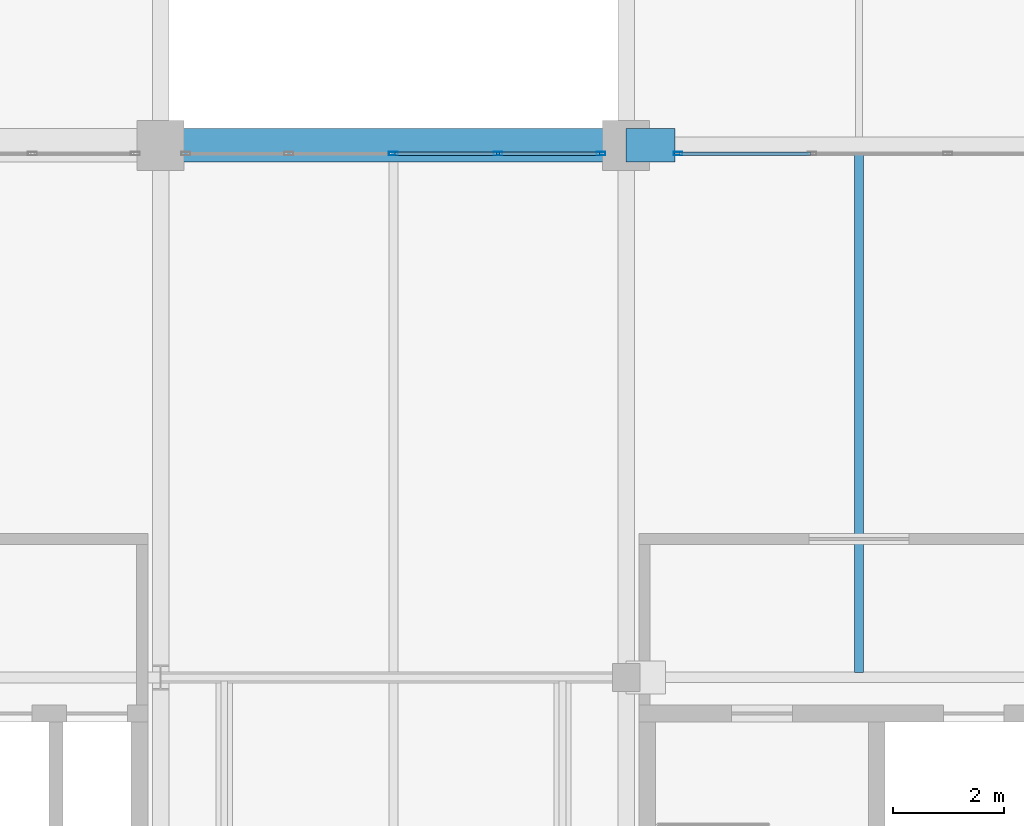
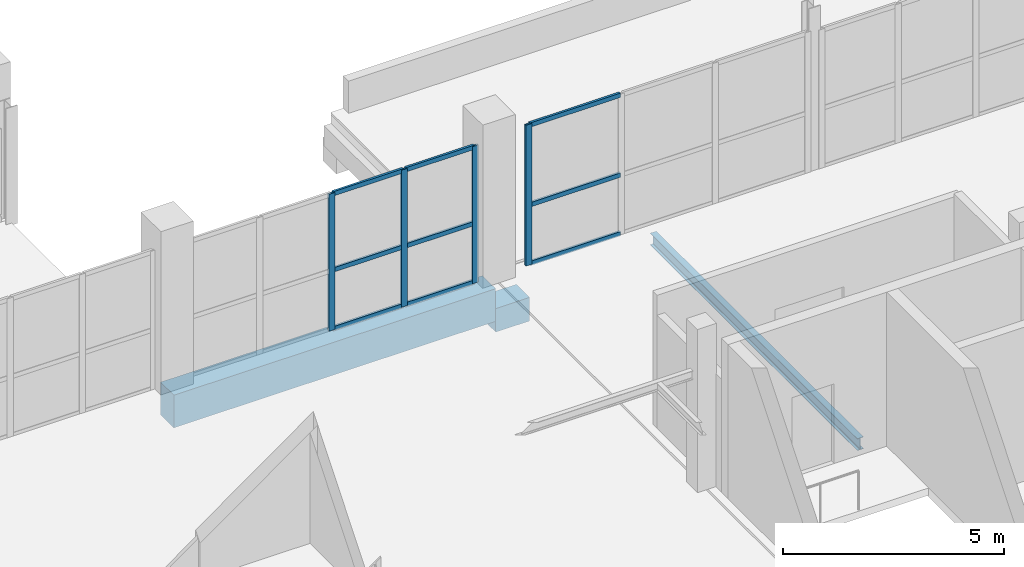
# One storey, part 49 of 103: 13 members, 3 beams, 2 elements without a shape of their own.
"""IFC4 building model written with IfcOpenShell, lengths in metres."""

from ifc_helpers import new_model, si_unit, direction, frame, origin, origin_2d, place, context, subcontext, project, spatial, rectangle, hollow_rectangle, i_section, extrude, material, material_profile, profile_set, type_object, element, aggregate, save


model = new_model("IFC4")

# Units and contexts
model_context = context("Model", 3, precision=1e-05, world=origin(), true_north=direction((0.0, 1.0)))
body_context = subcontext(model_context, "Body", "Model", "MODEL_VIEW")
ifc_project = project(units=[si_unit("LENGTHUNIT", "METRE"), si_unit("AREAUNIT", "SQUARE_METRE"), si_unit("VOLUMEUNIT", "CUBIC_METRE"), si_unit("PLANEANGLEUNIT", "RADIAN"), si_unit("MASSUNIT", "GRAM", prefix="KILO")], contexts=[model_context])

# Site, building, storey
site_placement = place(None, origin())
site = spatial("IfcSite", under=ifc_project, at=site_placement, CompositionType="ELEMENT")
building_placement = place(site_placement, origin())
building = spatial("IfcBuilding", under=site, at=building_placement, Name="Veltarok Museum of Natural Sciences", CompositionType="ELEMENT")
storey_placement = place(building_placement, frame((0.0, 0.0, 21.89990234375)))
storey = spatial("IfcBuildingStorey", under=building, at=storey_placement, Name="L04", CompositionType="ELEMENT", Elevation=21.89990234375)

# Curtain wall, members
ifc_material_1 = material(Name="Low-iron triple insulated glass", Category="glass")
curtain_wall_type_1 = type_object("IfcCurtainWallType", Name="Curtain Wall System CW-V1CN4-L04-2-755x378 (CW-V1CN4 L04 755x378cm)", PredefinedType="NOTDEFINED", material=ifc_material_1)
curtain_wall_1_placement = place(storey_placement, origin())
curtain_wall_1 = element("IfcCurtainWall", 1, at=curtain_wall_1_placement, inside=storey, type_object=curtain_wall_type_1, Name="Curtain Wall CW-V1CN4-L04-2-755x378 CW-0170", PredefinedType="NOTDEFINED")
ifc_material_2 = material(Name="Thermally broken anodised aluminium", Category="aluminium")
ifc_material_profile_1 = material_profile(ifc_material_2, hollow_rectangle(XDim=0.06005859375, YDim=0.1201171875, WallThickness=0.0048828125, at=origin_2d()), Name="CW TRANSOM 60x120x5")
ifc_profile_set_1 = profile_set([ifc_material_profile_1], Name="Thermally broken anodised aluminium")
member_type_1 = type_object("IfcMemberType", Name="Curtain Wall Horizontal Transom 60x120x5", PredefinedType="USERDEFINED", material=ifc_profile_set_1)
member_1_placement = place(storey_placement, frame((106.715087890625, 19.050048828125, 0.028076171875), z_axis=(-1.0, 0.0, 0.0), x_axis=(0.0, -1.0, 0.0)))
member_1 = element("IfcMember", 2, at=member_1_placement, type_object=member_type_1, Name="CW-V1CN4-L04-2-755x378 transom 1.1", ObjectType="TRANSOM", PredefinedType="USERDEFINED", context=body_context, shape_type="SweptSolid", body=[
    extrude(hollow_rectangle(XDim=0.06005859375, YDim=0.1201171875, WallThickness=0.0048828125, at=origin_2d()), origin(), (0.0, 0.0, 1.0), 1.797607421875),
])
member_2_placement = place(storey_placement, frame((106.715087890625, 19.050048828125, 1.648193359375), z_axis=(-1.0, 0.0, 0.0), x_axis=(0.0, -1.0, 0.0)))
member_2 = element("IfcMember", 3, at=member_2_placement, type_object=member_type_1, Name="CW-V1CN4-L04-2-755x378 transom 1.2", ObjectType="TRANSOM", PredefinedType="USERDEFINED", context=body_context, shape_type="SweptSolid", body=[
    extrude(hollow_rectangle(XDim=0.06005859375, YDim=0.1201171875, WallThickness=0.0048828125, at=origin_2d()), origin(), (0.0, 0.0, 1.0), 1.797607421875),
])
member_3_placement = place(storey_placement, frame((106.715087890625, 19.050048828125, 3.75), z_axis=(-1.0, 0.0, 0.0), x_axis=(0.0, -1.0, 0.0)))
member_3 = element("IfcMember", 4, at=member_3_placement, type_object=member_type_1, Name="CW-V1CN4-L04-2-755x378 transom 1.3", ObjectType="TRANSOM", PredefinedType="USERDEFINED", context=body_context, shape_type="SweptSolid", body=[
    extrude(hollow_rectangle(XDim=0.06005859375, YDim=0.1201171875, WallThickness=0.0048828125, at=origin_2d()), origin(), (0.0, 0.0, 1.0), 1.797607421875),
])
member_4_placement = place(storey_placement, frame((104.857421875, 19.050048828125, 0.028076171875), z_axis=(-1.0, 0.0, 0.0), x_axis=(0.0, -1.0, 0.0)))
member_4 = element("IfcMember", 5, at=member_4_placement, type_object=member_type_1, Name="CW-V1CN4-L04-2-755x378 transom 2.1", ObjectType="TRANSOM", PredefinedType="USERDEFINED", context=body_context, shape_type="SweptSolid", body=[
    extrude(hollow_rectangle(XDim=0.06005859375, YDim=0.1201171875, WallThickness=0.0048828125, at=origin_2d()), origin(), (0.0, 0.0, 1.0), 1.827392578125),
])
member_5_placement = place(storey_placement, frame((104.857421875, 19.050048828125, 1.648193359375), z_axis=(-1.0, 0.0, 0.0), x_axis=(0.0, -1.0, 0.0)))
member_5 = element("IfcMember", 6, at=member_5_placement, type_object=member_type_1, Name="CW-V1CN4-L04-2-755x378 transom 2.2", ObjectType="TRANSOM", PredefinedType="USERDEFINED", context=body_context, shape_type="SweptSolid", body=[
    extrude(hollow_rectangle(XDim=0.06005859375, YDim=0.1201171875, WallThickness=0.0048828125, at=origin_2d()), origin(), (0.0, 0.0, 1.0), 1.827392578125),
])
member_6_placement = place(storey_placement, frame((104.857421875, 19.050048828125, 3.75), z_axis=(-1.0, 0.0, 0.0), x_axis=(0.0, -1.0, 0.0)))
member_6 = element("IfcMember", 7, at=member_6_placement, type_object=member_type_1, Name="CW-V1CN4-L04-2-755x378 transom 2.3", ObjectType="TRANSOM", PredefinedType="USERDEFINED", context=body_context, shape_type="SweptSolid", body=[
    extrude(hollow_rectangle(XDim=0.06005859375, YDim=0.1201171875, WallThickness=0.0048828125, at=origin_2d()), origin(), (0.0, 0.0, 1.0), 1.827392578125),
])

curtain_wall_type_2 = type_object("IfcCurtainWallType", Name="Curtain Wall System CW-V5CN4-L04-0-734x388 (CW-V5CN4 L04 734x388cm)", PredefinedType="NOTDEFINED", material=ifc_material_1)
curtain_wall_2_placement = place(storey_placement, origin())
curtain_wall_2 = element("IfcCurtainWall", 8, at=curtain_wall_2_placement, inside=storey, type_object=curtain_wall_type_2, Name="Curtain Wall CW-V5CN4-L04-0-734x388 CW-0196", PredefinedType="NOTDEFINED")
member_7_placement = place(storey_placement, frame((110.5234375, 19.050048828125, 0.028076171875), z_axis=(-1.0, 0.0, 0.0), x_axis=(0.0, -1.0, 0.0)))
member_7 = element("IfcMember", 9, at=member_7_placement, type_object=member_type_1, Name="CW-V5CN4-L04-0-734x388 transom 3.1", ObjectType="TRANSOM", PredefinedType="USERDEFINED", context=body_context, shape_type="SweptSolid", body=[
    extrude(hollow_rectangle(XDim=0.06005859375, YDim=0.1201171875, WallThickness=0.0048828125, at=origin_2d()), origin(), (0.0, 0.0, 1.0), 2.3583984375),
])
member_8_placement = place(storey_placement, frame((110.5234375, 19.050048828125, 1.648193359375), z_axis=(-1.0, 0.0, 0.0), x_axis=(0.0, -1.0, 0.0)))
member_8 = element("IfcMember", 10, at=member_8_placement, type_object=member_type_1, Name="CW-V5CN4-L04-0-734x388 transom 3.2", ObjectType="TRANSOM", PredefinedType="USERDEFINED", context=body_context, shape_type="SweptSolid", body=[
    extrude(hollow_rectangle(XDim=0.06005859375, YDim=0.1201171875, WallThickness=0.0048828125, at=origin_2d()), origin(), (0.0, 0.0, 1.0), 2.3583984375),
])
member_9_placement = place(storey_placement, frame((110.5234375, 19.050048828125, 3.85009765625), z_axis=(-1.0, 0.0, 0.0), x_axis=(0.0, -1.0, 0.0)))
member_9 = element("IfcMember", 11, at=member_9_placement, type_object=member_type_1, Name="CW-V5CN4-L04-0-734x388 transom 3.3", ObjectType="TRANSOM", PredefinedType="USERDEFINED", context=body_context, shape_type="SweptSolid", body=[
    extrude(hollow_rectangle(XDim=0.06005859375, YDim=0.1201171875, WallThickness=0.0048828125, at=origin_2d()), origin(), (0.0, 0.0, 1.0), 2.3583984375),
])

# Member
ifc_material_profile_2 = material_profile(ifc_material_2, hollow_rectangle(XDim=0.06005859375, YDim=0.159912109375, WallThickness=0.0048828125, at=origin_2d()), Name="CW MULLION 60x160x5")
ifc_profile_set_2 = profile_set([ifc_material_profile_2], Name="Thermally broken anodised aluminium")
member_type_2 = type_object("IfcMemberType", Name="Curtain Wall Vertical Mullion 60x160x5", PredefinedType="MULLION", material=ifc_profile_set_2)
member_10_placement = place(storey_placement, frame((106.7451171875, 19.050048828125, -0.001953125), z_axis=(0.0, 0.0, 1.0), x_axis=(0.0, -1.0, 0.0)))
member_10 = element("IfcMember", 12, at=member_10_placement, type_object=member_type_2, Name="CW-V1CN4-L04-2-755x378 mullion 1", PredefinedType="MULLION", context=body_context, shape_type="SweptSolid", body=[
    extrude(hollow_rectangle(XDim=0.06005859375, YDim=0.159912109375, WallThickness=0.0048828125, at=origin_2d()), origin(), (0.0, 0.0, 1.0), 3.781982421875),
])

member_11_placement = place(storey_placement, frame((104.887451171875, 19.050048828125, -0.001953125), z_axis=(0.0, 0.0, 1.0), x_axis=(0.0, -1.0, 0.0)))
member_11 = element("IfcMember", 13, at=member_11_placement, type_object=member_type_2, Name="CW-V1CN4-L04-2-755x378 mullion 2", PredefinedType="MULLION", context=body_context, shape_type="SweptSolid", body=[
    extrude(hollow_rectangle(XDim=0.06005859375, YDim=0.159912109375, WallThickness=0.0048828125, at=origin_2d()), origin(), (0.0, 0.0, 1.0), 3.781982421875),
])

member_12_placement = place(storey_placement, frame((103.0, 19.050048828125, -0.001953125), z_axis=(0.0, 0.0, 1.0), x_axis=(0.0, -1.0, 0.0)))
member_12 = element("IfcMember", 14, at=member_12_placement, type_object=member_type_2, Name="CW-V1CN4-L04-2-755x378 mullion 3", PredefinedType="MULLION", context=body_context, shape_type="SweptSolid", body=[
    extrude(hollow_rectangle(XDim=0.06005859375, YDim=0.159912109375, WallThickness=0.0048828125, at=origin_2d()), origin(), (0.0, 0.0, 1.0), 3.781982421875),
])

aggregate(curtain_wall_1, [member_10, member_11, member_12, member_1, member_2, member_3, member_4, member_5, member_6])

member_13_placement = place(storey_placement, frame((108.135009765625, 19.050048828125, -0.001953125), z_axis=(0.0, 0.0, 1.0), x_axis=(0.0, -1.0, 0.0)))
member_13 = element("IfcMember", 15, at=member_13_placement, type_object=member_type_2, Name="CW-V5CN4-L04-0-734x388 mullion 4", PredefinedType="MULLION", context=body_context, shape_type="SweptSolid", body=[
    extrude(hollow_rectangle(XDim=0.06005859375, YDim=0.159912109375, WallThickness=0.0048828125, at=origin_2d()), origin(), (0.0, 0.0, 1.0), 3.882080078125),
])

aggregate(curtain_wall_2, [member_13, member_7, member_8, member_9])

# Beams
ifc_material_3 = material(Name="Concrete C40/50", Category="concrete")
ifc_material_profile_3 = material_profile(ifc_material_3, rectangle(XDim=0.60009765625, YDim=0.89990234375, at=origin_2d()), Name="RC 600x900")
ifc_profile_set_3 = profile_set([ifc_material_profile_3], Name="Concrete C40/50")
beam_type_1 = type_object("IfcBeamType", Name="Exposed Cabinet Perimeter Spandrel RC 600x900", PredefinedType="SPANDREL", material=ifc_profile_set_3)
beam_1_placement = place(storey_placement, frame((98.800048828125, 19.199951171875, -0.699951171875), z_axis=(1.0, 0.0, 0.0), x_axis=(0.0, 1.0, 0.0)))
element("IfcBeam", 16, at=beam_1_placement, inside=storey, type_object=beam_type_1, Name="Beam BM-SP01 L04 12-13/C", PredefinedType="SPANDREL", context=body_context, shape_type="SweptSolid", body=[
    extrude(rectangle(XDim=0.60009765625, YDim=0.89990234375, at=origin_2d()), origin(), (0.0, 0.0, 1.0), 8.39990234375),
])
ifc_material_4 = material(Name="Steel S355J2", Category="steel")
ifc_material_profile_4 = material_profile(ifc_material_4, i_section(OverallWidth=0.159912109375, OverallDepth=0.330078125, WebThickness=0.007568359375, FlangeThickness=0.011474609375, FilletRadius=0.01806640625, at=origin_2d()), Name="IPE 330")
ifc_profile_set_4 = profile_set([ifc_material_profile_4], Name="Steel S355J2")
beam_type_2 = type_object("IfcBeamType", Name="Medium-Bay Composite Joist IPE 330", PredefinedType="JOIST", material=ifc_profile_set_4)
beam_2_placement = place(storey_placement, frame((111.39990234375, 9.693115234375, -0.414794921875), z_axis=(0.0, 1.0, 0.0), x_axis=(-1.0, 0.0, 0.0)))
element("IfcBeam", 17, at=beam_2_placement, inside=storey, type_object=beam_type_2, Name="Secondary Joist BM-J02 L04 13-14/B-C.1", PredefinedType="JOIST", context=body_context, shape_type="SweptSolid", body=[
    extrude(i_section(OverallWidth=0.159912109375, OverallDepth=0.330078125, WebThickness=0.007568359375, FlangeThickness=0.011474609375, FilletRadius=0.01806640625, at=origin_2d()), origin(), (0.0, 0.0, 1.0), 9.35888671875),
])
ifc_material_profile_5 = material_profile(ifc_material_3, rectangle(XDim=0.60009765625, YDim=0.64990234375, at=origin_2d()), Name="RC 600x650")
ifc_profile_set_5 = profile_set([ifc_material_profile_5], Name="Concrete C40/50")
beam_type_3 = type_object("IfcBeamType", Name="Movement Joint Sliding Corbel RC 600x650", PredefinedType="BEAM", material=ifc_profile_set_5)
beam_3_placement = place(storey_placement, frame((107.199951171875, 19.199951171875, -1.125), z_axis=(1.0, 0.0, 0.0), x_axis=(0.0, 1.0, 0.0)))
element("IfcBeam", 18, at=beam_3_placement, inside=storey, type_object=beam_type_3, Name="Movement Joint Corbel L04 13/C", PredefinedType="BEAM", context=body_context, shape_type="SweptSolid", body=[
    extrude(rectangle(XDim=0.60009765625, YDim=0.64990234375, at=origin_2d()), origin(), (0.0, 0.0, 1.0), 0.885009765625),
])

save(model, "model.ifc")
